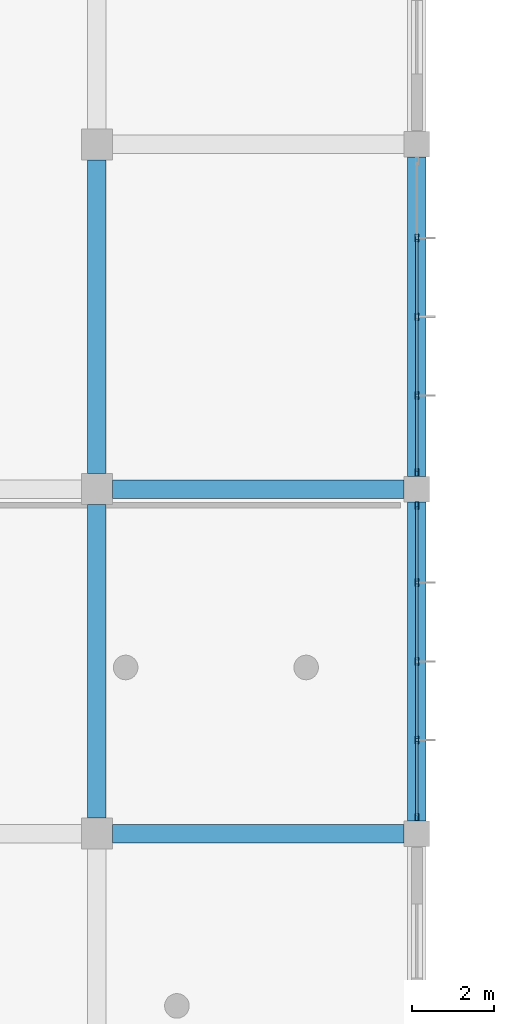
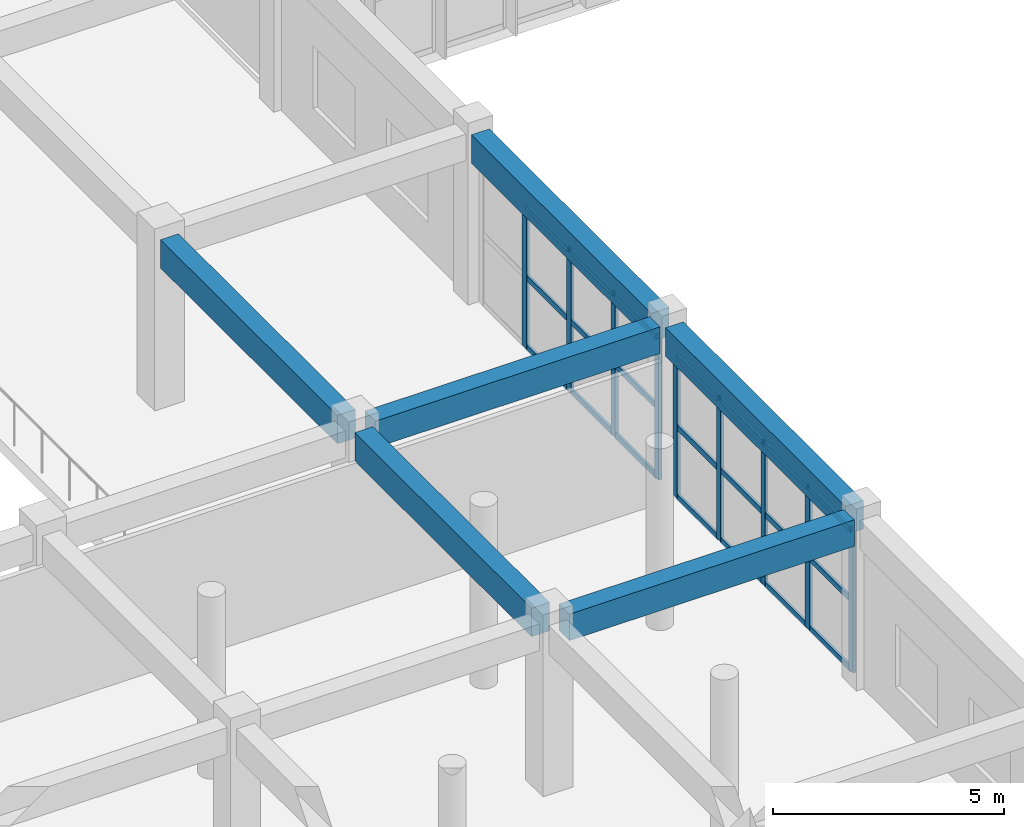
# One storey, part 83 of 167: 30 members, 6 beams, 2 elements without a shape of their own.
"""IFC4 building model written with IfcOpenShell, lengths in metres."""

from ifc_helpers import new_model, si_unit, direction, frame, origin, origin_2d, place, context, subcontext, project, spatial, rectangle, hollow_rectangle, extrude, material, layer, layer_set, material_profile, profile_set, type_object, element, aggregate, save


model = new_model("IFC4")

# Units and contexts
model_context = context("Model", 3, precision=1e-05, world=origin(), true_north=direction((0.0, 1.0)))
body_context = subcontext(model_context, "Body", "Model", "MODEL_VIEW")
ifc_project = project(units=[si_unit("LENGTHUNIT", "METRE"), si_unit("AREAUNIT", "SQUARE_METRE"), si_unit("VOLUMEUNIT", "CUBIC_METRE"), si_unit("PLANEANGLEUNIT", "RADIAN"), si_unit("MASSUNIT", "GRAM", prefix="KILO")], contexts=[model_context])

# Site, building, storey
site_placement = place(None, origin())
site = spatial("IfcSite", under=ifc_project, at=site_placement, CompositionType="ELEMENT")
building_placement = place(site_placement, origin())
building = spatial("IfcBuilding", under=site, at=building_placement, Name="Zizhar Promenade General Hospital", CompositionType="ELEMENT")
storey_placement = place(building_placement, frame((0.0, 0.0, 9.60009765625)))
storey = spatial("IfcBuildingStorey", under=building, at=storey_placement, Name="L02", CompositionType="ELEMENT", Elevation=9.60009765625)

# Beams
ifc_material_1 = material(Name="Concrete C35/45", Category="concrete")
ifc_material_profile_1 = material_profile(ifc_material_1, rectangle(XDim=0.449951171875, YDim=0.699951171875, at=origin_2d()))
ifc_profile_set_1 = profile_set([ifc_material_profile_1], Name="Concrete C35/45")
beam_type_1 = type_object("IfcBeamType", Name="BM-RC-450x700", PredefinedType="BEAM", material=ifc_profile_set_1)
for number, where, z_axis, x_axis, name in (
    (1, (125.175048828125, 16.800048828125, 4.119873046875), (1.0, 0.0, 0.0), (0.0, 1.0, 0.0), "Grid Beam X L02 (16-2)"),
    (2, (125.175048828125, 25.199951171875, 4.119873046875), (1.0, 0.0, 0.0), (0.0, 1.0, 0.0), "Grid Beam X L02 (16-3)"),
):
    element("IfcBeam", number, at=place(storey_placement, frame(where, z_axis=z_axis, x_axis=x_axis)), inside=storey, type_object=beam_type_1, Name=name, PredefinedType="BEAM", context=body_context, shape_type="SweptSolid", body=[
        extrude(rectangle(XDim=0.449951171875, YDim=0.699951171875, at=origin_2d()), origin(), (0.0, 0.0, 1.0), 7.114990234375),
    ])
ifc_material_2 = material(Name="Concrete C35/45", Category="concrete")
ifc_material_profile_2 = material_profile(ifc_material_2, rectangle(XDim=0.449951171875, YDim=0.75, at=origin_2d()))
ifc_profile_set_2 = profile_set([ifc_material_profile_2], Name="Concrete C35/45")
beam_type_2 = type_object("IfcBeamType", Name="BM-RC-450x750", PredefinedType="BEAM", material=ifc_profile_set_2)
beam_1_placement = place(storey_placement, frame((124.800048828125, 17.175048828125, 4.094970703125), z_axis=(0.0, 1.0, 0.0), x_axis=(-1.0, 0.0, 0.0)))
element("IfcBeam", 3, at=beam_1_placement, inside=storey, type_object=beam_type_2, Name="Grid Beam Y L02 (16-2)", PredefinedType="BEAM", context=body_context, shape_type="SweptSolid", body=[
    extrude(rectangle(XDim=0.449951171875, YDim=0.75, at=origin_2d()), origin(), (0.0, 0.0, 1.0), 7.64990234375),
])
beam_2_placement = place(storey_placement, frame((124.800048828125, 25.574951171875, 4.094970703125), z_axis=(0.0, 1.0, 0.0), x_axis=(-1.0, 0.0, 0.0)))
element("IfcBeam", 4, at=beam_2_placement, inside=storey, type_object=beam_type_2, Name="Grid Beam Y L02 (16-3)", PredefinedType="BEAM", context=body_context, shape_type="SweptSolid", body=[
    extrude(rectangle(XDim=0.449951171875, YDim=0.75, at=origin_2d()), origin(), (0.0, 0.0, 1.0), 7.650146484375),
])
beam_3_placement = place(storey_placement, frame((132.60009765625, 17.110107421875, 4.094970703125), z_axis=(0.0, 1.0, 0.0), x_axis=(-1.0, 0.0, 0.0)))
element("IfcBeam", 5, at=beam_3_placement, inside=storey, type_object=beam_type_2, Name="Grid Beam Y L02 (17-2)", PredefinedType="BEAM", context=body_context, shape_type="SweptSolid", body=[
    extrude(rectangle(XDim=0.449951171875, YDim=0.75, at=origin_2d()), origin(), (0.0, 0.0, 1.0), 7.77978515625),
])
beam_4_placement = place(storey_placement, frame((132.60009765625, 25.510009765625, 4.094970703125), z_axis=(0.0, 1.0, 0.0), x_axis=(-1.0, 0.0, 0.0)))
element("IfcBeam", 6, at=beam_4_placement, inside=storey, type_object=beam_type_2, Name="Grid Beam Y L02 (17-3)", PredefinedType="BEAM", context=body_context, shape_type="SweptSolid", body=[
    extrude(rectangle(XDim=0.449951171875, YDim=0.75, at=origin_2d()), origin(), (0.0, 0.0, 1.0), 7.780029296875),
])

# Curtain wall, members
ifc_material_3 = material(Name="Anodised aluminium 6063-T6 and low-E glass", Category="aluminium")
ifc_layer = layer(ifc_material_3, 0.159912109375)
ifc_layer_set = layer_set([ifc_layer], Name="Anodised aluminium 6063-T6 and low-E glass")
curtain_wall_type = type_object("IfcCurtainWallType", Name="CW-HALL-S", PredefinedType="NOTDEFINED", material=ifc_layer_set)
curtain_wall_1_placement = place(storey_placement, origin())
curtain_wall_1 = element("IfcCurtainWall", 7, at=curtain_wall_1_placement, inside=storey, type_object=curtain_wall_type, Name="Forecourt Arrival Glazed Curtain Wall L02-2", PredefinedType="NOTDEFINED")
ifc_material_4 = material(Name="Anodised aluminium 6063-T6", Category="aluminium")
ifc_material_profile_3 = material_profile(ifc_material_4, hollow_rectangle(XDim=0.080078125, YDim=0.179931640625, WallThickness=0.0048828125, at=origin_2d()))
ifc_profile_set_3 = profile_set([ifc_material_profile_3], Name="Anodised aluminium 6063-T6")
member_type_1 = type_object("IfcMemberType", Name="CWM-ALU-180x80", PredefinedType="MULLION", material=ifc_profile_set_3)
member_1_placement = place(storey_placement, frame((132.60009765625, 24.800048828125, 0.0), z_axis=(0.0, 0.0, 1.0), x_axis=(1.0, 0.0, 0.0)))
member_1 = element("IfcMember", 8, at=member_1_placement, type_object=member_type_1, Name="CW-01 mullion 1", PredefinedType="MULLION", context=body_context, shape_type="SweptSolid", body=[
    extrude(hollow_rectangle(XDim=0.080078125, YDim=0.179931640625, WallThickness=0.0048828125, at=origin_2d()), origin(), (0.0, 0.0, 1.0), 3.72998046875),
])
member_2_placement = place(storey_placement, frame((132.60009765625, 22.919921875, 0.0), z_axis=(0.0, 0.0, 1.0), x_axis=(1.0, 0.0, 0.0)))
member_2 = element("IfcMember", 9, at=member_2_placement, type_object=member_type_1, Name="CW-01 mullion 2", PredefinedType="MULLION", context=body_context, shape_type="SweptSolid", body=[
    extrude(hollow_rectangle(XDim=0.080078125, YDim=0.179931640625, WallThickness=0.0048828125, at=origin_2d()), origin(), (0.0, 0.0, 1.0), 3.72998046875),
])
member_3_placement = place(storey_placement, frame((132.60009765625, 21.0, 0.0), z_axis=(0.0, 0.0, 1.0), x_axis=(1.0, 0.0, 0.0)))
member_3 = element("IfcMember", 10, at=member_3_placement, type_object=member_type_1, Name="CW-01 mullion 3", PredefinedType="MULLION", context=body_context, shape_type="SweptSolid", body=[
    extrude(hollow_rectangle(XDim=0.080078125, YDim=0.179931640625, WallThickness=0.0048828125, at=origin_2d()), origin(), (0.0, 0.0, 1.0), 3.72998046875),
])
member_4_placement = place(storey_placement, frame((132.60009765625, 19.080078125, 0.0), z_axis=(0.0, 0.0, 1.0), x_axis=(1.0, 0.0, 0.0)))
member_4 = element("IfcMember", 11, at=member_4_placement, type_object=member_type_1, Name="CW-01 mullion 4", PredefinedType="MULLION", context=body_context, shape_type="SweptSolid", body=[
    extrude(hollow_rectangle(XDim=0.080078125, YDim=0.179931640625, WallThickness=0.0048828125, at=origin_2d()), origin(), (0.0, 0.0, 1.0), 3.72998046875),
])
member_5_placement = place(storey_placement, frame((132.60009765625, 17.199951171875, 0.0), z_axis=(0.0, 0.0, 1.0), x_axis=(1.0, 0.0, 0.0)))
member_5 = element("IfcMember", 12, at=member_5_placement, type_object=member_type_1, Name="CW-01 mullion 5", PredefinedType="MULLION", context=body_context, shape_type="SweptSolid", body=[
    extrude(hollow_rectangle(XDim=0.080078125, YDim=0.179931640625, WallThickness=0.0048828125, at=origin_2d()), origin(), (0.0, 0.0, 1.0), 3.72998046875),
])

curtain_wall_2_placement = place(storey_placement, origin())
curtain_wall_2 = element("IfcCurtainWall", 13, at=curtain_wall_2_placement, inside=storey, type_object=curtain_wall_type, Name="Forecourt Arrival Glazed Curtain Wall L02-3", PredefinedType="NOTDEFINED")
member_6_placement = place(storey_placement, frame((132.60009765625, 31.320068359375, 0.0), z_axis=(0.0, 0.0, 1.0), x_axis=(1.0, 0.0, 0.0)))
member_6 = element("IfcMember", 14, at=member_6_placement, type_object=member_type_1, Name="CW-01 mullion 2", PredefinedType="MULLION", context=body_context, shape_type="SweptSolid", body=[
    extrude(hollow_rectangle(XDim=0.080078125, YDim=0.179931640625, WallThickness=0.0048828125, at=origin_2d()), origin(), (0.0, 0.0, 1.0), 3.72998046875),
])
member_7_placement = place(storey_placement, frame((132.60009765625, 29.39990234375, 0.0), z_axis=(0.0, 0.0, 1.0), x_axis=(1.0, 0.0, 0.0)))
member_7 = element("IfcMember", 15, at=member_7_placement, type_object=member_type_1, Name="CW-01 mullion 3", PredefinedType="MULLION", context=body_context, shape_type="SweptSolid", body=[
    extrude(hollow_rectangle(XDim=0.080078125, YDim=0.179931640625, WallThickness=0.0048828125, at=origin_2d()), origin(), (0.0, 0.0, 1.0), 3.72998046875),
])
member_8_placement = place(storey_placement, frame((132.60009765625, 27.47998046875, 0.0), z_axis=(0.0, 0.0, 1.0), x_axis=(1.0, 0.0, 0.0)))
member_8 = element("IfcMember", 16, at=member_8_placement, type_object=member_type_1, Name="CW-01 mullion 4", PredefinedType="MULLION", context=body_context, shape_type="SweptSolid", body=[
    extrude(hollow_rectangle(XDim=0.080078125, YDim=0.179931640625, WallThickness=0.0048828125, at=origin_2d()), origin(), (0.0, 0.0, 1.0), 3.72998046875),
])
member_9_placement = place(storey_placement, frame((132.60009765625, 25.60009765625, 0.0), z_axis=(0.0, 0.0, 1.0), x_axis=(1.0, 0.0, 0.0)))
member_9 = element("IfcMember", 17, at=member_9_placement, type_object=member_type_1, Name="CW-01 mullion 5", PredefinedType="MULLION", context=body_context, shape_type="SweptSolid", body=[
    extrude(hollow_rectangle(XDim=0.080078125, YDim=0.179931640625, WallThickness=0.0048828125, at=origin_2d()), origin(), (0.0, 0.0, 1.0), 3.72998046875),
])

# Member
ifc_material_5 = material(Name="Anodised aluminium 6063-T6", Category="aluminium")
ifc_material_profile_4 = material_profile(ifc_material_5, hollow_rectangle(XDim=0.06005859375, YDim=0.14990234375, WallThickness=0.00390625, at=origin_2d()))
ifc_profile_set_4 = profile_set([ifc_material_profile_4], Name="Anodised aluminium 6063-T6")
member_type_2 = type_object("IfcMemberType", Name="CWT-ALU-150x60", PredefinedType="USERDEFINED", material=ifc_profile_set_4)
member_10_placement = place(storey_placement, frame((132.60009765625, 24.760009765625, 0.02978515625), z_axis=(0.0, -1.0, 0.0), x_axis=(1.0, 0.0, 0.0)))
member_10 = element("IfcMember", 18, at=member_10_placement, type_object=member_type_2, Name="CW-01 transom 1.1", ObjectType="TRANSOM", PredefinedType="USERDEFINED", context=body_context, shape_type="SweptSolid", body=[
    extrude(hollow_rectangle(XDim=0.06005859375, YDim=0.14990234375, WallThickness=0.00390625, at=origin_2d()), origin(), (0.0, 0.0, 1.0), 1.800048828125),
])

member_11_placement = place(storey_placement, frame((132.60009765625, 24.760009765625, 1.864990234375), z_axis=(0.0, -1.0, 0.0), x_axis=(1.0, 0.0, 0.0)))
member_11 = element("IfcMember", 19, at=member_11_placement, type_object=member_type_2, Name="CW-01 transom 1.2", ObjectType="TRANSOM", PredefinedType="USERDEFINED", context=body_context, shape_type="SweptSolid", body=[
    extrude(hollow_rectangle(XDim=0.06005859375, YDim=0.14990234375, WallThickness=0.00390625, at=origin_2d()), origin(), (0.0, 0.0, 1.0), 1.800048828125),
])

member_12_placement = place(storey_placement, frame((132.60009765625, 24.760009765625, 3.699951171875), z_axis=(0.0, -1.0, 0.0), x_axis=(1.0, 0.0, 0.0)))
member_12 = element("IfcMember", 20, at=member_12_placement, type_object=member_type_2, Name="CW-01 transom 1.3", ObjectType="TRANSOM", PredefinedType="USERDEFINED", context=body_context, shape_type="SweptSolid", body=[
    extrude(hollow_rectangle(XDim=0.06005859375, YDim=0.14990234375, WallThickness=0.00390625, at=origin_2d()), origin(), (0.0, 0.0, 1.0), 1.800048828125),
])

member_13_placement = place(storey_placement, frame((132.60009765625, 22.8798828125, 0.02978515625), z_axis=(0.0, -1.0, 0.0), x_axis=(1.0, 0.0, 0.0)))
member_13 = element("IfcMember", 21, at=member_13_placement, type_object=member_type_2, Name="CW-01 transom 2.1", ObjectType="TRANSOM", PredefinedType="USERDEFINED", context=body_context, shape_type="SweptSolid", body=[
    extrude(hollow_rectangle(XDim=0.06005859375, YDim=0.14990234375, WallThickness=0.00390625, at=origin_2d()), origin(), (0.0, 0.0, 1.0), 1.83984375),
])

member_14_placement = place(storey_placement, frame((132.60009765625, 22.8798828125, 1.864990234375), z_axis=(0.0, -1.0, 0.0), x_axis=(1.0, 0.0, 0.0)))
member_14 = element("IfcMember", 22, at=member_14_placement, type_object=member_type_2, Name="CW-01 transom 2.2", ObjectType="TRANSOM", PredefinedType="USERDEFINED", context=body_context, shape_type="SweptSolid", body=[
    extrude(hollow_rectangle(XDim=0.06005859375, YDim=0.14990234375, WallThickness=0.00390625, at=origin_2d()), origin(), (0.0, 0.0, 1.0), 1.83984375),
])

member_15_placement = place(storey_placement, frame((132.60009765625, 22.8798828125, 3.699951171875), z_axis=(0.0, -1.0, 0.0), x_axis=(1.0, 0.0, 0.0)))
member_15 = element("IfcMember", 23, at=member_15_placement, type_object=member_type_2, Name="CW-01 transom 2.3", ObjectType="TRANSOM", PredefinedType="USERDEFINED", context=body_context, shape_type="SweptSolid", body=[
    extrude(hollow_rectangle(XDim=0.06005859375, YDim=0.14990234375, WallThickness=0.00390625, at=origin_2d()), origin(), (0.0, 0.0, 1.0), 1.83984375),
])

member_16_placement = place(storey_placement, frame((132.60009765625, 20.9599609375, 0.02978515625), z_axis=(0.0, -1.0, 0.0), x_axis=(1.0, 0.0, 0.0)))
member_16 = element("IfcMember", 24, at=member_16_placement, type_object=member_type_2, Name="CW-01 transom 3.1", ObjectType="TRANSOM", PredefinedType="USERDEFINED", context=body_context, shape_type="SweptSolid", body=[
    extrude(hollow_rectangle(XDim=0.06005859375, YDim=0.14990234375, WallThickness=0.00390625, at=origin_2d()), origin(), (0.0, 0.0, 1.0), 1.83984375),
])

member_17_placement = place(storey_placement, frame((132.60009765625, 20.9599609375, 1.864990234375), z_axis=(0.0, -1.0, 0.0), x_axis=(1.0, 0.0, 0.0)))
member_17 = element("IfcMember", 25, at=member_17_placement, type_object=member_type_2, Name="CW-01 transom 3.2", ObjectType="TRANSOM", PredefinedType="USERDEFINED", context=body_context, shape_type="SweptSolid", body=[
    extrude(hollow_rectangle(XDim=0.06005859375, YDim=0.14990234375, WallThickness=0.00390625, at=origin_2d()), origin(), (0.0, 0.0, 1.0), 1.83984375),
])

member_18_placement = place(storey_placement, frame((132.60009765625, 20.9599609375, 3.699951171875), z_axis=(0.0, -1.0, 0.0), x_axis=(1.0, 0.0, 0.0)))
member_18 = element("IfcMember", 26, at=member_18_placement, type_object=member_type_2, Name="CW-01 transom 3.3", ObjectType="TRANSOM", PredefinedType="USERDEFINED", context=body_context, shape_type="SweptSolid", body=[
    extrude(hollow_rectangle(XDim=0.06005859375, YDim=0.14990234375, WallThickness=0.00390625, at=origin_2d()), origin(), (0.0, 0.0, 1.0), 1.83984375),
])

member_19_placement = place(storey_placement, frame((132.60009765625, 19.0400390625, 0.02978515625), z_axis=(0.0, -1.0, 0.0), x_axis=(1.0, 0.0, 0.0)))
member_19 = element("IfcMember", 27, at=member_19_placement, type_object=member_type_2, Name="CW-01 transom 4.1", ObjectType="TRANSOM", PredefinedType="USERDEFINED", context=body_context, shape_type="SweptSolid", body=[
    extrude(hollow_rectangle(XDim=0.06005859375, YDim=0.14990234375, WallThickness=0.00390625, at=origin_2d()), origin(), (0.0, 0.0, 1.0), 1.800048828125),
])

member_20_placement = place(storey_placement, frame((132.60009765625, 19.0400390625, 1.864990234375), z_axis=(0.0, -1.0, 0.0), x_axis=(1.0, 0.0, 0.0)))
member_20 = element("IfcMember", 28, at=member_20_placement, type_object=member_type_2, Name="CW-01 transom 4.2", ObjectType="TRANSOM", PredefinedType="USERDEFINED", context=body_context, shape_type="SweptSolid", body=[
    extrude(hollow_rectangle(XDim=0.06005859375, YDim=0.14990234375, WallThickness=0.00390625, at=origin_2d()), origin(), (0.0, 0.0, 1.0), 1.800048828125),
])

member_21_placement = place(storey_placement, frame((132.60009765625, 19.0400390625, 3.699951171875), z_axis=(0.0, -1.0, 0.0), x_axis=(1.0, 0.0, 0.0)))
member_21 = element("IfcMember", 29, at=member_21_placement, type_object=member_type_2, Name="CW-01 transom 4.3", ObjectType="TRANSOM", PredefinedType="USERDEFINED", context=body_context, shape_type="SweptSolid", body=[
    extrude(hollow_rectangle(XDim=0.06005859375, YDim=0.14990234375, WallThickness=0.00390625, at=origin_2d()), origin(), (0.0, 0.0, 1.0), 1.800048828125),
])

aggregate(curtain_wall_1, [member_1, member_2, member_3, member_4, member_5, member_10, member_11, member_12, member_13, member_14, member_15, member_16, member_17, member_18, member_19, member_20, member_21])

member_22_placement = place(storey_placement, frame((132.60009765625, 31.280029296875, 0.02978515625), z_axis=(0.0, -1.0, 0.0), x_axis=(1.0, 0.0, 0.0)))
member_22 = element("IfcMember", 30, at=member_22_placement, type_object=member_type_2, Name="CW-01 transom 2.1", ObjectType="TRANSOM", PredefinedType="USERDEFINED", context=body_context, shape_type="SweptSolid", body=[
    extrude(hollow_rectangle(XDim=0.06005859375, YDim=0.14990234375, WallThickness=0.00390625, at=origin_2d()), origin(), (0.0, 0.0, 1.0), 1.840087890625),
])

member_23_placement = place(storey_placement, frame((132.60009765625, 31.280029296875, 1.864990234375), z_axis=(0.0, -1.0, 0.0), x_axis=(1.0, 0.0, 0.0)))
member_23 = element("IfcMember", 31, at=member_23_placement, type_object=member_type_2, Name="CW-01 transom 2.2", ObjectType="TRANSOM", PredefinedType="USERDEFINED", context=body_context, shape_type="SweptSolid", body=[
    extrude(hollow_rectangle(XDim=0.06005859375, YDim=0.14990234375, WallThickness=0.00390625, at=origin_2d()), origin(), (0.0, 0.0, 1.0), 1.840087890625),
])

member_24_placement = place(storey_placement, frame((132.60009765625, 31.280029296875, 3.699951171875), z_axis=(0.0, -1.0, 0.0), x_axis=(1.0, 0.0, 0.0)))
member_24 = element("IfcMember", 32, at=member_24_placement, type_object=member_type_2, Name="CW-01 transom 2.3", ObjectType="TRANSOM", PredefinedType="USERDEFINED", context=body_context, shape_type="SweptSolid", body=[
    extrude(hollow_rectangle(XDim=0.06005859375, YDim=0.14990234375, WallThickness=0.00390625, at=origin_2d()), origin(), (0.0, 0.0, 1.0), 1.840087890625),
])

member_25_placement = place(storey_placement, frame((132.60009765625, 29.360107421875, 0.02978515625), z_axis=(0.0, -1.0, 0.0), x_axis=(1.0, 0.0, 0.0)))
member_25 = element("IfcMember", 33, at=member_25_placement, type_object=member_type_2, Name="CW-01 transom 3.1", ObjectType="TRANSOM", PredefinedType="USERDEFINED", context=body_context, shape_type="SweptSolid", body=[
    extrude(hollow_rectangle(XDim=0.06005859375, YDim=0.14990234375, WallThickness=0.00390625, at=origin_2d()), origin(), (0.0, 0.0, 1.0), 1.840087890625),
])

member_26_placement = place(storey_placement, frame((132.60009765625, 29.360107421875, 1.864990234375), z_axis=(0.0, -1.0, 0.0), x_axis=(1.0, 0.0, 0.0)))
member_26 = element("IfcMember", 34, at=member_26_placement, type_object=member_type_2, Name="CW-01 transom 3.2", ObjectType="TRANSOM", PredefinedType="USERDEFINED", context=body_context, shape_type="SweptSolid", body=[
    extrude(hollow_rectangle(XDim=0.06005859375, YDim=0.14990234375, WallThickness=0.00390625, at=origin_2d()), origin(), (0.0, 0.0, 1.0), 1.840087890625),
])

member_27_placement = place(storey_placement, frame((132.60009765625, 29.360107421875, 3.699951171875), z_axis=(0.0, -1.0, 0.0), x_axis=(1.0, 0.0, 0.0)))
member_27 = element("IfcMember", 35, at=member_27_placement, type_object=member_type_2, Name="CW-01 transom 3.3", ObjectType="TRANSOM", PredefinedType="USERDEFINED", context=body_context, shape_type="SweptSolid", body=[
    extrude(hollow_rectangle(XDim=0.06005859375, YDim=0.14990234375, WallThickness=0.00390625, at=origin_2d()), origin(), (0.0, 0.0, 1.0), 1.840087890625),
])

member_28_placement = place(storey_placement, frame((132.60009765625, 27.43994140625, 0.02978515625), z_axis=(0.0, -1.0, 0.0), x_axis=(1.0, 0.0, 0.0)))
member_28 = element("IfcMember", 36, at=member_28_placement, type_object=member_type_2, Name="CW-01 transom 4.1", ObjectType="TRANSOM", PredefinedType="USERDEFINED", context=body_context, shape_type="SweptSolid", body=[
    extrude(hollow_rectangle(XDim=0.06005859375, YDim=0.14990234375, WallThickness=0.00390625, at=origin_2d()), origin(), (0.0, 0.0, 1.0), 1.800048828125),
])

member_29_placement = place(storey_placement, frame((132.60009765625, 27.43994140625, 1.864990234375), z_axis=(0.0, -1.0, 0.0), x_axis=(1.0, 0.0, 0.0)))
member_29 = element("IfcMember", 37, at=member_29_placement, type_object=member_type_2, Name="CW-01 transom 4.2", ObjectType="TRANSOM", PredefinedType="USERDEFINED", context=body_context, shape_type="SweptSolid", body=[
    extrude(hollow_rectangle(XDim=0.06005859375, YDim=0.14990234375, WallThickness=0.00390625, at=origin_2d()), origin(), (0.0, 0.0, 1.0), 1.800048828125),
])

member_30_placement = place(storey_placement, frame((132.60009765625, 27.43994140625, 3.699951171875), z_axis=(0.0, -1.0, 0.0), x_axis=(1.0, 0.0, 0.0)))
member_30 = element("IfcMember", 38, at=member_30_placement, type_object=member_type_2, Name="CW-01 transom 4.3", ObjectType="TRANSOM", PredefinedType="USERDEFINED", context=body_context, shape_type="SweptSolid", body=[
    extrude(hollow_rectangle(XDim=0.06005859375, YDim=0.14990234375, WallThickness=0.00390625, at=origin_2d()), origin(), (0.0, 0.0, 1.0), 1.800048828125),
])

aggregate(curtain_wall_2, [member_6, member_7, member_8, member_9, member_22, member_23, member_24, member_25, member_26, member_27, member_28, member_29, member_30])

save(model, "model.ifc")
